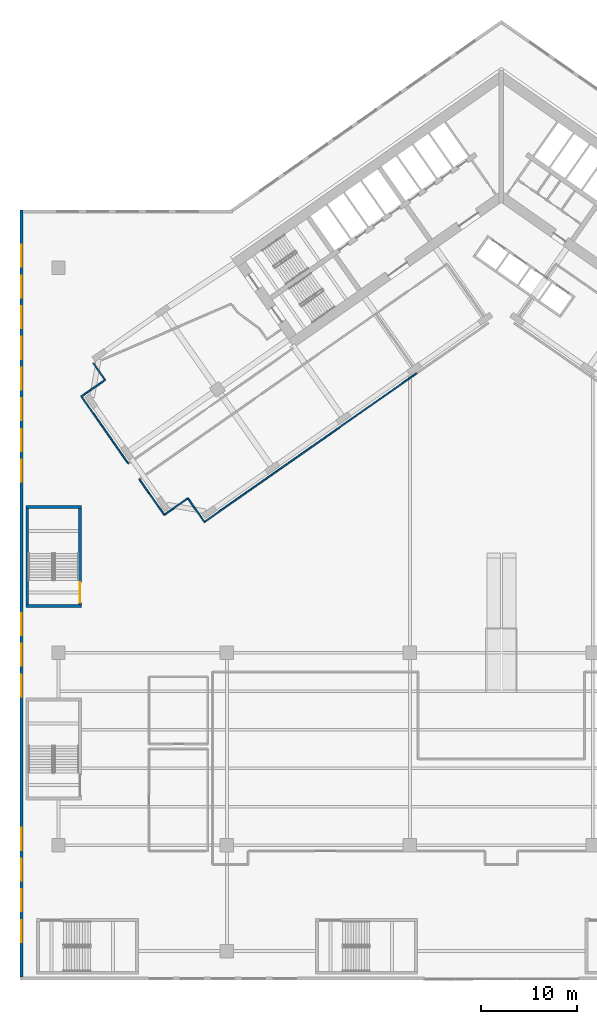
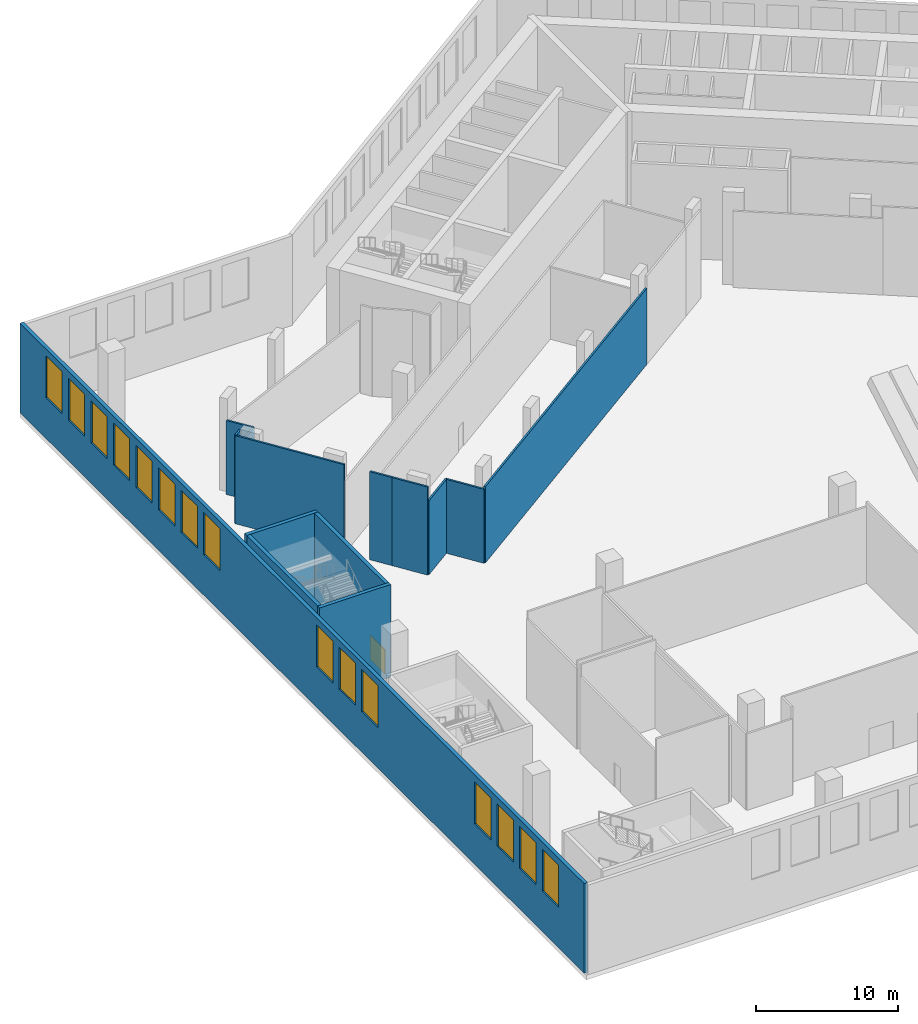
# One storey, part 6 of 27: 15 windows, 14 walls, 1 door, 16 openings.
"""IFC4 building model written with IfcOpenShell, lengths in metres."""

from ifc_helpers import new_model, si_unit, direction, frame, frame_2d, origin, place, context, subcontext, project, spatial, rectangle, extrude, material, layer, layer_set, type_object, element, fill, save


model = new_model("IFC4")

# Units and contexts
model_context = context("Model", 3, precision=1e-05, world=origin(), true_north=direction((0.0, 1.0)))
body_context = subcontext(model_context, "Body", "Model", "MODEL_VIEW")
ifc_project = project(units=[si_unit("LENGTHUNIT", "METRE"), si_unit("AREAUNIT", "SQUARE_METRE"), si_unit("VOLUMEUNIT", "CUBIC_METRE"), si_unit("PLANEANGLEUNIT", "RADIAN"), si_unit("MASSUNIT", "GRAM", prefix="KILO")], contexts=[model_context])

# Site, building, storey
site_placement = place(None, origin())
site = spatial("IfcSite", under=ifc_project, at=site_placement, CompositionType="ELEMENT")
building_placement = place(site_placement, origin())
building = spatial("IfcBuilding", under=site, at=building_placement, Name="Tel Ilan Convention Tower", CompositionType="ELEMENT")
storey_placement = place(building_placement, frame((0.0, 0.0, 18.0)))
storey = spatial("IfcBuildingStorey", under=building, at=storey_placement, Name="L02", CompositionType="ELEMENT", Elevation=18.0)

# Walls
ifc_material_1 = material(Name="Plasterboard on Steel Studs", Category="steel")
ifc_layer_1 = layer(ifc_material_1, 0.14990234375)
ifc_layer_set_1 = layer_set([ifc_layer_1], Name="Fire-rated Partition 150 EI 60")
wall_type_1 = type_object("IfcWallType", Name="Fire-rated Partition 150 EI 60", PredefinedType="PARTITIONING", material=ifc_layer_set_1)
wall_1_placement = place(storey_placement, frame((-35.016845703125, -33.676025390625, 0.0), z_axis=(0.0, 0.0, 1.0), x_axis=(0.81917072002, 0.573549763719, 0.0)))
element("IfcWall", 1, at=wall_1_placement, inside=storey, type_object=wall_type_1, Name="Partition 041", PredefinedType="PARTITIONING", context=body_context, shape_type="SweptSolid", body=[
    extrude(rectangle(XDim=2.998779296875, YDim=0.14990234375, at=frame_2d((1.49951171875, 0.0))), origin(), (0.0, 0.0, 1.0), 6.3798828125),
])
wall_2_placement = place(storey_placement, frame((-32.560302734375, -31.9560546875, 0.0), z_axis=(0.0, 0.0, 1.0), x_axis=(0.573604390867, -0.819132469615, 0.0)))
element("IfcWall", 2, at=wall_2_placement, inside=storey, type_object=wall_type_1, Name="Partition 042", PredefinedType="PARTITIONING", context=body_context, shape_type="SweptSolid", body=[
    extrude(rectangle(XDim=2.9990234375, YDim=0.14990234375, at=frame_2d((1.49951171875, 0.0))), origin(), (0.0, 0.0, 1.0), 6.3798828125),
])
wall_3_placement = place(storey_placement, frame((-30.838623046875, -34.412841796875, 0.0), z_axis=(0.0, 0.0, 1.0), x_axis=(0.819150779762, 0.573578242279, 0.0)))
element("IfcWall", 3, at=wall_3_placement, inside=storey, type_object=wall_type_1, Name="Partition 043", PredefinedType="PARTITIONING", context=body_context, shape_type="SweptSolid", body=[
    extrude(rectangle(XDim=27.001708984375, YDim=0.14990234375, at=frame_2d((13.5009765625, 0.0))), origin(), (0.0, 0.0, 1.0), 6.580078125),
])
wall_4_placement = place(storey_placement, frame((-36.59912109375, -31.41845703125, 0.0), z_axis=(0.0, 0.0, 1.0), x_axis=(0.57362881286, -0.819115367367, 0.0)))
element("IfcWall", 4, at=wall_4_placement, inside=storey, type_object=wall_type_1, Name="Partition 044", PredefinedType="PARTITIONING", context=body_context, shape_type="SweptSolid", body=[
    extrude(rectangle(XDim=2.755859375, YDim=0.14990234375, at=frame_2d((1.3779296875, 0.0))), origin(), (0.0, 0.0, 1.0), 7.60009765625),
])
wall_5_placement = place(storey_placement, frame((-42.359375, -17.96142578125, 0.0), z_axis=(0.0, 0.0, 1.0), x_axis=(0.573603984281, -0.819132754331, 0.0)))
element("IfcWall", 5, at=wall_5_placement, inside=storey, type_object=wall_type_1, Name="Partition 046", PredefinedType="PARTITIONING", context=body_context, shape_type="SweptSolid", body=[
    extrude(rectangle(XDim=2.082275390625, YDim=0.14990234375, at=frame_2d((1.041015625, 0.0))), origin(), (0.0, 0.0, 1.0), 6.3798828125),
])
wall_6_placement = place(storey_placement, frame((-41.1650390625, -19.6669921875, 0.0), z_axis=(0.0, 0.0, 1.0), x_axis=(-0.819149945048, -0.573579434366, 0.0)))
element("IfcWall", 6, at=wall_6_placement, inside=storey, type_object=wall_type_1, Name="Partition 047", PredefinedType="PARTITIONING", context=body_context, shape_type="SweptSolid", body=[
    extrude(rectangle(XDim=2.23876953125, YDim=0.14990234375, at=frame_2d((1.119384765625, 0.0))), origin(), (0.0, 0.0, 1.0), 6.3798828125),
])
wall_7_placement = place(storey_placement, frame((-43.621826171875, -21.38720703125, 0.0), z_axis=(0.0, 0.0, 1.0), x_axis=(0.573487395822, -0.819214383928, 0.0)))
element("IfcWall", 7, at=wall_7_placement, inside=storey, type_object=wall_type_1, Name="Partition 061", PredefinedType="PARTITIONING", context=body_context, shape_type="SweptSolid", body=[
    extrude(rectangle(XDim=8.502685546875, YDim=0.14990234375, at=frame_2d((4.25146484375, 0.0))), origin(), (0.0, 0.0, 1.0), 7.60009765625),
])
wall_8_placement = place(storey_placement, frame((-43.0, -20.951904296875, 0.0), z_axis=(0.0, 0.0, 1.0), x_axis=(-0.819216809636, -0.573483930734, 0.0)))
element("IfcWall", 8, at=wall_8_placement, inside=storey, type_object=wall_type_1, Name="Partition 062", PredefinedType="PARTITIONING", context=body_context, shape_type="SweptSolid", body=[
    extrude(rectangle(XDim=0.759033203125, YDim=0.14990234375, at=frame_2d((0.37939453125, 0.0))), origin(), (0.0, 0.0, 1.0), 7.60009765625),
])
wall_9_placement = place(storey_placement, frame((-37.600341796875, -29.98828125, 0.0), z_axis=(0.0, 0.0, 1.0), x_axis=(0.573518712821, -0.819192459709, 0.0)))
element("IfcWall", 9, at=wall_9_placement, inside=storey, type_object=wall_type_1, Name="Partition 063", PredefinedType="PARTITIONING", context=body_context, shape_type="SweptSolid", body=[
    extrude(rectangle(XDim=1.744140625, YDim=0.14990234375, at=frame_2d((0.8720703125, 0.0))), origin(), (0.0, 0.0, 1.0), 7.60009765625),
])

# Wall, openings, windows
ifc_material_2 = material(Name="Bronze aluminium cladding panel on insulated steel frame", Category="steel")
ifc_layer_2 = layer(ifc_material_2, 0.300048828125)
ifc_layer_set_2 = layer_set([ifc_layer_2], Name="PODIUM CLADDING WALL 300")
wall_type_2 = type_object("IfcWallType", Name="PODIUM CLADDING WALL 300", PredefinedType="SOLIDWALL", material=ifc_layer_set_2)
wall_10_placement = place(storey_placement, frame((-49.85009765625, -81.699951171875, 0.0), z_axis=(0.0, 0.0, 1.0), x_axis=(0.0, 1.0, 0.0)))
wall_10 = element("IfcWall", 10, at=wall_10_placement, inside=storey, type_object=wall_type_2, Name="Podium cladding wall", PredefinedType="SOLIDWALL", context=body_context, shape_type="SweptSolid", body=[
    extrude(rectangle(XDim=79.699951171875, YDim=0.300048828125, at=frame_2d((39.85009765625, 0.0))), origin(), (0.0, 0.0, 1.0), 7.719970703125),
])
opening_1_placement = place(wall_10_placement, frame((3.637939453125, 0.0, 3.5)))
opening_1 = element("IfcOpeningElement", 11, at=opening_1_placement, cuts=wall_10, Name="Opening W-05.011", PredefinedType="OPENING", context=body_context, shape_type="SweptSolid", body=[
    extrude(rectangle(XDim=2.2880859375, YDim=3.6201171875, at=frame_2d((1.14404296875, 1.81005859375))), frame((0.0, 0.159912109375, 0.0), z_axis=(0.0, -1.0, 0.0), x_axis=(1.0, 0.0, 0.0)), (0.0, 0.0, 1.0), 0.320068359375),
])
opening_2_placement = place(wall_10_placement, frame((6.825927734375, 0.0, 3.5)))
opening_2 = element("IfcOpeningElement", 12, at=opening_2_placement, cuts=wall_10, Name="Opening W-05.012", PredefinedType="OPENING", context=body_context, shape_type="SweptSolid", body=[
    extrude(rectangle(XDim=2.2880859375, YDim=3.6201171875, at=frame_2d((1.14404296875, 1.81005859375))), frame((0.0, 0.159912109375, 0.0), z_axis=(0.0, -1.0, 0.0), x_axis=(1.0, 0.0, 0.0)), (0.0, 0.0, 1.0), 0.320068359375),
])
opening_3_placement = place(wall_10_placement, frame((10.013916015625, 0.0, 3.5)))
opening_3 = element("IfcOpeningElement", 13, at=opening_3_placement, cuts=wall_10, Name="Opening W-05.013", PredefinedType="OPENING", context=body_context, shape_type="SweptSolid", body=[
    extrude(rectangle(XDim=2.2880859375, YDim=3.6201171875, at=frame_2d((1.14404296875, 1.81005859375))), frame((0.0, 0.159912109375, 0.0), z_axis=(0.0, -1.0, 0.0), x_axis=(1.0, 0.0, 0.0)), (0.0, 0.0, 1.0), 0.320068359375),
])
opening_4_placement = place(wall_10_placement, frame((13.201904296875, 0.0, 3.5)))
opening_4 = element("IfcOpeningElement", 14, at=opening_4_placement, cuts=wall_10, Name="Opening W-05.014", PredefinedType="OPENING", context=body_context, shape_type="SweptSolid", body=[
    extrude(rectangle(XDim=2.2880859375, YDim=3.6201171875, at=frame_2d((1.14404296875, 1.81005859375))), frame((0.0, 0.159912109375, 0.0), z_axis=(0.0, -1.0, 0.0), x_axis=(1.0, 0.0, 0.0)), (0.0, 0.0, 1.0), 0.320068359375),
])
opening_5_placement = place(wall_10_placement, frame((29.14208984375, 0.0, 3.5)))
opening_5 = element("IfcOpeningElement", 15, at=opening_5_placement, cuts=wall_10, Name="Opening W-05.015", PredefinedType="OPENING", context=body_context, shape_type="SweptSolid", body=[
    extrude(rectangle(XDim=2.2880859375, YDim=3.6201171875, at=frame_2d((1.14404296875, 1.81005859375))), frame((0.0, 0.159912109375, 0.0), z_axis=(0.0, -1.0, 0.0), x_axis=(1.0, 0.0, 0.0)), (0.0, 0.0, 1.0), 0.320068359375),
])
opening_6_placement = place(wall_10_placement, frame((32.330078125, 0.0, 3.5)))
opening_6 = element("IfcOpeningElement", 16, at=opening_6_placement, cuts=wall_10, Name="Opening W-05.016", PredefinedType="OPENING", context=body_context, shape_type="SweptSolid", body=[
    extrude(rectangle(XDim=2.2880859375, YDim=3.6201171875, at=frame_2d((1.14404296875, 1.81005859375))), frame((0.0, 0.159912109375, 0.0), z_axis=(0.0, -1.0, 0.0), x_axis=(1.0, 0.0, 0.0)), (0.0, 0.0, 1.0), 0.320068359375),
])
opening_7_placement = place(wall_10_placement, frame((35.51806640625, 0.0, 3.5)))
opening_7 = element("IfcOpeningElement", 17, at=opening_7_placement, cuts=wall_10, Name="Opening W-05.017", PredefinedType="OPENING", context=body_context, shape_type="SweptSolid", body=[
    extrude(rectangle(XDim=2.2880859375, YDim=3.6201171875, at=frame_2d((1.14404296875, 1.81005859375))), frame((0.0, 0.159912109375, 0.0), z_axis=(0.0, -1.0, 0.0), x_axis=(1.0, 0.0, 0.0)), (0.0, 0.0, 1.0), 0.320068359375),
])
opening_8_placement = place(wall_10_placement, frame((51.4580078125, 0.0, 3.5)))
opening_8 = element("IfcOpeningElement", 18, at=opening_8_placement, cuts=wall_10, Name="Opening W-05.018", PredefinedType="OPENING", context=body_context, shape_type="SweptSolid", body=[
    extrude(rectangle(XDim=2.2880859375, YDim=3.6201171875, at=frame_2d((1.14404296875, 1.81005859375))), frame((0.0, 0.159912109375, 0.0), z_axis=(0.0, -1.0, 0.0), x_axis=(1.0, 0.0, 0.0)), (0.0, 0.0, 1.0), 0.320068359375),
])
opening_9_placement = place(wall_10_placement, frame((54.64599609375, 0.0, 3.5)))
opening_9 = element("IfcOpeningElement", 19, at=opening_9_placement, cuts=wall_10, Name="Opening W-05.019", PredefinedType="OPENING", context=body_context, shape_type="SweptSolid", body=[
    extrude(rectangle(XDim=2.2880859375, YDim=3.6201171875, at=frame_2d((1.14404296875, 1.81005859375))), frame((0.0, 0.159912109375, 0.0), z_axis=(0.0, -1.0, 0.0), x_axis=(1.0, 0.0, 0.0)), (0.0, 0.0, 1.0), 0.320068359375),
])
opening_10_placement = place(wall_10_placement, frame((57.833984375, 0.0, 3.5)))
opening_10 = element("IfcOpeningElement", 20, at=opening_10_placement, cuts=wall_10, Name="Opening W-05.020", PredefinedType="OPENING", context=body_context, shape_type="SweptSolid", body=[
    extrude(rectangle(XDim=2.2880859375, YDim=3.6201171875, at=frame_2d((1.14404296875, 1.81005859375))), frame((0.0, 0.159912109375, 0.0), z_axis=(0.0, -1.0, 0.0), x_axis=(1.0, 0.0, 0.0)), (0.0, 0.0, 1.0), 0.320068359375),
])
opening_11_placement = place(wall_10_placement, frame((61.02197265625, 0.0, 3.5)))
opening_11 = element("IfcOpeningElement", 21, at=opening_11_placement, cuts=wall_10, Name="Opening W-05.021", PredefinedType="OPENING", context=body_context, shape_type="SweptSolid", body=[
    extrude(rectangle(XDim=2.2880859375, YDim=3.6201171875, at=frame_2d((1.14404296875, 1.81005859375))), frame((0.0, 0.159912109375, 0.0), z_axis=(0.0, -1.0, 0.0), x_axis=(1.0, 0.0, 0.0)), (0.0, 0.0, 1.0), 0.320068359375),
])
opening_12_placement = place(wall_10_placement, frame((64.2099609375, 0.0, 3.5)))
opening_12 = element("IfcOpeningElement", 22, at=opening_12_placement, cuts=wall_10, Name="Opening W-05.022", PredefinedType="OPENING", context=body_context, shape_type="SweptSolid", body=[
    extrude(rectangle(XDim=2.2880859375, YDim=3.6201171875, at=frame_2d((1.14404296875, 1.81005859375))), frame((0.0, 0.159912109375, 0.0), z_axis=(0.0, -1.0, 0.0), x_axis=(1.0, 0.0, 0.0)), (0.0, 0.0, 1.0), 0.320068359375),
])
opening_13_placement = place(wall_10_placement, frame((67.39794921875, 0.0, 3.5)))
opening_13 = element("IfcOpeningElement", 23, at=opening_13_placement, cuts=wall_10, Name="Opening W-05.023", PredefinedType="OPENING", context=body_context, shape_type="SweptSolid", body=[
    extrude(rectangle(XDim=2.2880859375, YDim=3.6201171875, at=frame_2d((1.14404296875, 1.81005859375))), frame((0.0, 0.159912109375, 0.0), z_axis=(0.0, -1.0, 0.0), x_axis=(1.0, 0.0, 0.0)), (0.0, 0.0, 1.0), 0.320068359375),
])
opening_14_placement = place(wall_10_placement, frame((70.5859375, 0.0, 3.5)))
opening_14 = element("IfcOpeningElement", 24, at=opening_14_placement, cuts=wall_10, Name="Opening W-05.024", PredefinedType="OPENING", context=body_context, shape_type="SweptSolid", body=[
    extrude(rectangle(XDim=2.2880859375, YDim=3.6201171875, at=frame_2d((1.14404296875, 1.81005859375))), frame((0.0, 0.159912109375, 0.0), z_axis=(0.0, -1.0, 0.0), x_axis=(1.0, 0.0, 0.0)), (0.0, 0.0, 1.0), 0.320068359375),
])
opening_15_placement = place(wall_10_placement, frame((73.77392578125, 0.0, 3.5)))
opening_15 = element("IfcOpeningElement", 25, at=opening_15_placement, cuts=wall_10, Name="Opening W-05.025", PredefinedType="OPENING", context=body_context, shape_type="SweptSolid", body=[
    extrude(rectangle(XDim=2.2880859375, YDim=3.6201171875, at=frame_2d((1.14404296875, 1.81005859375))), frame((0.0, 0.159912109375, 0.0), z_axis=(0.0, -1.0, 0.0), x_axis=(1.0, 0.0, 0.0)), (0.0, 0.0, 1.0), 0.320068359375),
])
ifc_material_3 = material(Name="Aluminium framed glazing, bronze anodised, tinted glass", Category="aluminium")
window_type = type_object("IfcWindowType", Name="PODIUM WINDOW 2288x3620", PartitioningType="SINGLE_PANEL", PredefinedType="WINDOW", material=ifc_material_3)
window_1_placement = place(opening_1_placement, origin())
window_1 = element("IfcWindow", 26, at=window_1_placement, inside=storey, type_object=window_type, Name="Podium window", OverallHeight=3.6201171875, OverallWidth=2.2880859375, PartitioningType="SINGLE_PANEL", PredefinedType="WINDOW", context=body_context, shape_type="SweptSolid", body=[
    extrude(rectangle(XDim=2.2880859375, YDim=3.6201171875, at=frame_2d((1.14404296875, 1.81005859375))), frame((0.0, 0.030029296875, 0.0), z_axis=(0.0, -1.0, 0.0), x_axis=(1.0, 0.0, 0.0)), (0.0, 0.0, 1.0), 0.06005859375),
])
fill(opening_1, window_1)
window_2_placement = place(opening_2_placement, origin())
window_2 = element("IfcWindow", 27, at=window_2_placement, inside=storey, type_object=window_type, Name="Podium window", OverallHeight=3.6201171875, OverallWidth=2.2880859375, PartitioningType="SINGLE_PANEL", PredefinedType="WINDOW", context=body_context, shape_type="SweptSolid", body=[
    extrude(rectangle(XDim=2.2880859375, YDim=3.6201171875, at=frame_2d((1.14404296875, 1.81005859375))), frame((0.0, 0.030029296875, 0.0), z_axis=(0.0, -1.0, 0.0), x_axis=(1.0, 0.0, 0.0)), (0.0, 0.0, 1.0), 0.06005859375),
])
fill(opening_2, window_2)
window_3_placement = place(opening_3_placement, origin())
window_3 = element("IfcWindow", 28, at=window_3_placement, inside=storey, type_object=window_type, Name="Podium window", OverallHeight=3.6201171875, OverallWidth=2.2880859375, PartitioningType="SINGLE_PANEL", PredefinedType="WINDOW", context=body_context, shape_type="SweptSolid", body=[
    extrude(rectangle(XDim=2.2880859375, YDim=3.6201171875, at=frame_2d((1.14404296875, 1.81005859375))), frame((0.0, 0.030029296875, 0.0), z_axis=(0.0, -1.0, 0.0), x_axis=(1.0, 0.0, 0.0)), (0.0, 0.0, 1.0), 0.06005859375),
])
fill(opening_3, window_3)
window_4_placement = place(opening_4_placement, origin())
window_4 = element("IfcWindow", 29, at=window_4_placement, inside=storey, type_object=window_type, Name="Podium window", OverallHeight=3.6201171875, OverallWidth=2.2880859375, PartitioningType="SINGLE_PANEL", PredefinedType="WINDOW", context=body_context, shape_type="SweptSolid", body=[
    extrude(rectangle(XDim=2.2880859375, YDim=3.6201171875, at=frame_2d((1.14404296875, 1.81005859375))), frame((0.0, 0.030029296875, 0.0), z_axis=(0.0, -1.0, 0.0), x_axis=(1.0, 0.0, 0.0)), (0.0, 0.0, 1.0), 0.06005859375),
])
fill(opening_4, window_4)
window_5_placement = place(opening_5_placement, origin())
window_5 = element("IfcWindow", 30, at=window_5_placement, inside=storey, type_object=window_type, Name="Podium window", OverallHeight=3.6201171875, OverallWidth=2.2880859375, PartitioningType="SINGLE_PANEL", PredefinedType="WINDOW", context=body_context, shape_type="SweptSolid", body=[
    extrude(rectangle(XDim=2.2880859375, YDim=3.6201171875, at=frame_2d((1.14404296875, 1.81005859375))), frame((0.0, 0.030029296875, 0.0), z_axis=(0.0, -1.0, 0.0), x_axis=(1.0, 0.0, 0.0)), (0.0, 0.0, 1.0), 0.06005859375),
])
fill(opening_5, window_5)
window_6_placement = place(opening_6_placement, origin())
window_6 = element("IfcWindow", 31, at=window_6_placement, inside=storey, type_object=window_type, Name="Podium window", OverallHeight=3.6201171875, OverallWidth=2.2880859375, PartitioningType="SINGLE_PANEL", PredefinedType="WINDOW", context=body_context, shape_type="SweptSolid", body=[
    extrude(rectangle(XDim=2.2880859375, YDim=3.6201171875, at=frame_2d((1.14404296875, 1.81005859375))), frame((0.0, 0.030029296875, 0.0), z_axis=(0.0, -1.0, 0.0), x_axis=(1.0, 0.0, 0.0)), (0.0, 0.0, 1.0), 0.06005859375),
])
fill(opening_6, window_6)
window_7_placement = place(opening_7_placement, origin())
window_7 = element("IfcWindow", 32, at=window_7_placement, inside=storey, type_object=window_type, Name="Podium window", OverallHeight=3.6201171875, OverallWidth=2.2880859375, PartitioningType="SINGLE_PANEL", PredefinedType="WINDOW", context=body_context, shape_type="SweptSolid", body=[
    extrude(rectangle(XDim=2.2880859375, YDim=3.6201171875, at=frame_2d((1.14404296875, 1.81005859375))), frame((0.0, 0.030029296875, 0.0), z_axis=(0.0, -1.0, 0.0), x_axis=(1.0, 0.0, 0.0)), (0.0, 0.0, 1.0), 0.06005859375),
])
fill(opening_7, window_7)
window_8_placement = place(opening_8_placement, origin())
window_8 = element("IfcWindow", 33, at=window_8_placement, inside=storey, type_object=window_type, Name="Podium window", OverallHeight=3.6201171875, OverallWidth=2.2880859375, PartitioningType="SINGLE_PANEL", PredefinedType="WINDOW", context=body_context, shape_type="SweptSolid", body=[
    extrude(rectangle(XDim=2.2880859375, YDim=3.6201171875, at=frame_2d((1.14404296875, 1.81005859375))), frame((0.0, 0.030029296875, 0.0), z_axis=(0.0, -1.0, 0.0), x_axis=(1.0, 0.0, 0.0)), (0.0, 0.0, 1.0), 0.06005859375),
])
fill(opening_8, window_8)
window_9_placement = place(opening_9_placement, origin())
window_9 = element("IfcWindow", 34, at=window_9_placement, inside=storey, type_object=window_type, Name="Podium window", OverallHeight=3.6201171875, OverallWidth=2.2880859375, PartitioningType="SINGLE_PANEL", PredefinedType="WINDOW", context=body_context, shape_type="SweptSolid", body=[
    extrude(rectangle(XDim=2.2880859375, YDim=3.6201171875, at=frame_2d((1.14404296875, 1.81005859375))), frame((0.0, 0.030029296875, 0.0), z_axis=(0.0, -1.0, 0.0), x_axis=(1.0, 0.0, 0.0)), (0.0, 0.0, 1.0), 0.06005859375),
])
fill(opening_9, window_9)
window_10_placement = place(opening_10_placement, origin())
window_10 = element("IfcWindow", 35, at=window_10_placement, inside=storey, type_object=window_type, Name="Podium window", OverallHeight=3.6201171875, OverallWidth=2.2880859375, PartitioningType="SINGLE_PANEL", PredefinedType="WINDOW", context=body_context, shape_type="SweptSolid", body=[
    extrude(rectangle(XDim=2.2880859375, YDim=3.6201171875, at=frame_2d((1.14404296875, 1.81005859375))), frame((0.0, 0.030029296875, 0.0), z_axis=(0.0, -1.0, 0.0), x_axis=(1.0, 0.0, 0.0)), (0.0, 0.0, 1.0), 0.06005859375),
])
fill(opening_10, window_10)
window_11_placement = place(opening_11_placement, origin())
window_11 = element("IfcWindow", 36, at=window_11_placement, inside=storey, type_object=window_type, Name="Podium window", OverallHeight=3.6201171875, OverallWidth=2.2880859375, PartitioningType="SINGLE_PANEL", PredefinedType="WINDOW", context=body_context, shape_type="SweptSolid", body=[
    extrude(rectangle(XDim=2.2880859375, YDim=3.6201171875, at=frame_2d((1.14404296875, 1.81005859375))), frame((0.0, 0.030029296875, 0.0), z_axis=(0.0, -1.0, 0.0), x_axis=(1.0, 0.0, 0.0)), (0.0, 0.0, 1.0), 0.06005859375),
])
fill(opening_11, window_11)
window_12_placement = place(opening_12_placement, origin())
window_12 = element("IfcWindow", 37, at=window_12_placement, inside=storey, type_object=window_type, Name="Podium window", OverallHeight=3.6201171875, OverallWidth=2.2880859375, PartitioningType="SINGLE_PANEL", PredefinedType="WINDOW", context=body_context, shape_type="SweptSolid", body=[
    extrude(rectangle(XDim=2.2880859375, YDim=3.6201171875, at=frame_2d((1.14404296875, 1.81005859375))), frame((0.0, 0.030029296875, 0.0), z_axis=(0.0, -1.0, 0.0), x_axis=(1.0, 0.0, 0.0)), (0.0, 0.0, 1.0), 0.06005859375),
])
fill(opening_12, window_12)
window_13_placement = place(opening_13_placement, origin())
window_13 = element("IfcWindow", 38, at=window_13_placement, inside=storey, type_object=window_type, Name="Podium window", OverallHeight=3.6201171875, OverallWidth=2.2880859375, PartitioningType="SINGLE_PANEL", PredefinedType="WINDOW", context=body_context, shape_type="SweptSolid", body=[
    extrude(rectangle(XDim=2.2880859375, YDim=3.6201171875, at=frame_2d((1.14404296875, 1.81005859375))), frame((0.0, 0.030029296875, 0.0), z_axis=(0.0, -1.0, 0.0), x_axis=(1.0, 0.0, 0.0)), (0.0, 0.0, 1.0), 0.06005859375),
])
fill(opening_13, window_13)
window_14_placement = place(opening_14_placement, origin())
window_14 = element("IfcWindow", 39, at=window_14_placement, inside=storey, type_object=window_type, Name="Podium window", OverallHeight=3.6201171875, OverallWidth=2.2880859375, PartitioningType="SINGLE_PANEL", PredefinedType="WINDOW", context=body_context, shape_type="SweptSolid", body=[
    extrude(rectangle(XDim=2.2880859375, YDim=3.6201171875, at=frame_2d((1.14404296875, 1.81005859375))), frame((0.0, 0.030029296875, 0.0), z_axis=(0.0, -1.0, 0.0), x_axis=(1.0, 0.0, 0.0)), (0.0, 0.0, 1.0), 0.06005859375),
])
fill(opening_14, window_14)
window_15_placement = place(opening_15_placement, origin())
window_15 = element("IfcWindow", 40, at=window_15_placement, inside=storey, type_object=window_type, Name="Podium window", OverallHeight=3.6201171875, OverallWidth=2.2880859375, PartitioningType="SINGLE_PANEL", PredefinedType="WINDOW", context=body_context, shape_type="SweptSolid", body=[
    extrude(rectangle(XDim=2.2880859375, YDim=3.6201171875, at=frame_2d((1.14404296875, 1.81005859375))), frame((0.0, 0.030029296875, 0.0), z_axis=(0.0, -1.0, 0.0), x_axis=(1.0, 0.0, 0.0)), (0.0, 0.0, 1.0), 0.06005859375),
])
fill(opening_15, window_15)

# Walls
ifc_material_4 = material(Name="Concrete C40/50", Category="concrete")
ifc_layer_3 = layer(ifc_material_4, 0.300048828125)
ifc_layer_set_3 = layer_set([ifc_layer_3], Name="Stair Enclosure Wall 300 mm C40/50")
wall_type_3 = type_object("IfcWallType", Name="Stair Enclosure Wall 300 mm C40/50", PredefinedType="SOLIDWALL", material=ifc_layer_set_3)
for number, where, z_axis, x_axis, name in (
    (41, (-49.39990234375, -43.14990234375, 0.0), (0.0, 0.0, 1.0), (1.0, 0.0, 0.0), "P7 stair enclosure wall S L02"),
    (42, (-49.39990234375, -32.85009765625, 0.0), (0.0, 0.0, 1.0), (1.0, 0.0, 0.0), "P7 stair enclosure wall N L02"),
):
    element("IfcWall", number, at=place(storey_placement, frame(where, z_axis=z_axis, x_axis=x_axis)), inside=storey, type_object=wall_type_3, Name=name, PredefinedType="SOLIDWALL", context=body_context, shape_type="SweptSolid", body=[
        extrude(rectangle(XDim=5.7998046875, YDim=0.300048828125, at=frame_2d((2.89990234375, 0.0))), origin(), (0.0, 0.0, 1.0), 8.0),
    ])
wall_11_placement = place(storey_placement, frame((-49.25, -43.0, 0.0), z_axis=(0.0, 0.0, 1.0), x_axis=(0.0, 1.0, 0.0)))
element("IfcWall", 43, at=wall_11_placement, inside=storey, type_object=wall_type_3, Name="P7 stair enclosure wall W L02", PredefinedType="SOLIDWALL", context=body_context, shape_type="SweptSolid", body=[
    extrude(rectangle(XDim=10.0, YDim=0.300048828125, at=frame_2d((5.0, 0.0))), origin(), (0.0, 0.0, 1.0), 8.0),
])

# Wall, opening, door
wall_12_placement = place(storey_placement, frame((-43.75, -43.0, 0.0), z_axis=(0.0, 0.0, 1.0), x_axis=(0.0, 1.0, 0.0)))
wall_12 = element("IfcWall", 44, at=wall_12_placement, inside=storey, type_object=wall_type_3, Name="P7 stair enclosure wall E L02", PredefinedType="SOLIDWALL", context=body_context, shape_type="SweptSolid", body=[
    extrude(rectangle(XDim=10.0, YDim=0.300048828125, at=frame_2d((5.0, 0.0))), origin(), (0.0, 0.0, 1.0), 8.0),
])
opening_16_placement = place(wall_12_placement, frame((0.21240234375, 0.0, 0.0)))
opening_16 = element("IfcOpeningElement", 45, at=opening_16_placement, cuts=wall_12, Name="Opening PD705", PredefinedType="OPENING", context=body_context, shape_type="SweptSolid", body=[
    extrude(rectangle(XDim=2.10009765625, YDim=2.10009765625, at=frame_2d((1.050048828125, 1.050048828125))), frame((0.0, 0.159912109375, 0.0), z_axis=(0.0, -1.0, 0.0), x_axis=(1.0, 0.0, 0.0)), (0.0, 0.0, 1.0), 0.320068359375),
])
ifc_material_5 = material(Name="Galvanised Steel Door Leaf", Category="steel")
door_type = type_object("IfcDoorType", Name="Stair Fire Door 2100 x 2100 FD60S", OperationType="NOTDEFINED", PredefinedType="DOOR", material=ifc_material_5)
door_placement = place(opening_16_placement, origin())
door = element("IfcDoor", 46, at=door_placement, inside=storey, type_object=door_type, Name="Stair P7 floor door", OperationType="DOUBLE_DOOR_SINGLE_SWING", OverallHeight=2.10009765625, OverallWidth=2.10009765625, PredefinedType="DOOR", context=body_context, shape_type="SweptSolid", body=[
    extrude(rectangle(XDim=2.10009765625, YDim=2.10009765625, at=frame_2d((1.050048828125, 1.050048828125))), frame((0.0, 0.02490234375, 0.0), z_axis=(0.0, -1.0, 0.0), x_axis=(1.0, 0.0, 0.0)), (0.0, 0.0, 1.0), 0.050048828125),
])
fill(opening_16, door)

save(model, "model.ifc")
